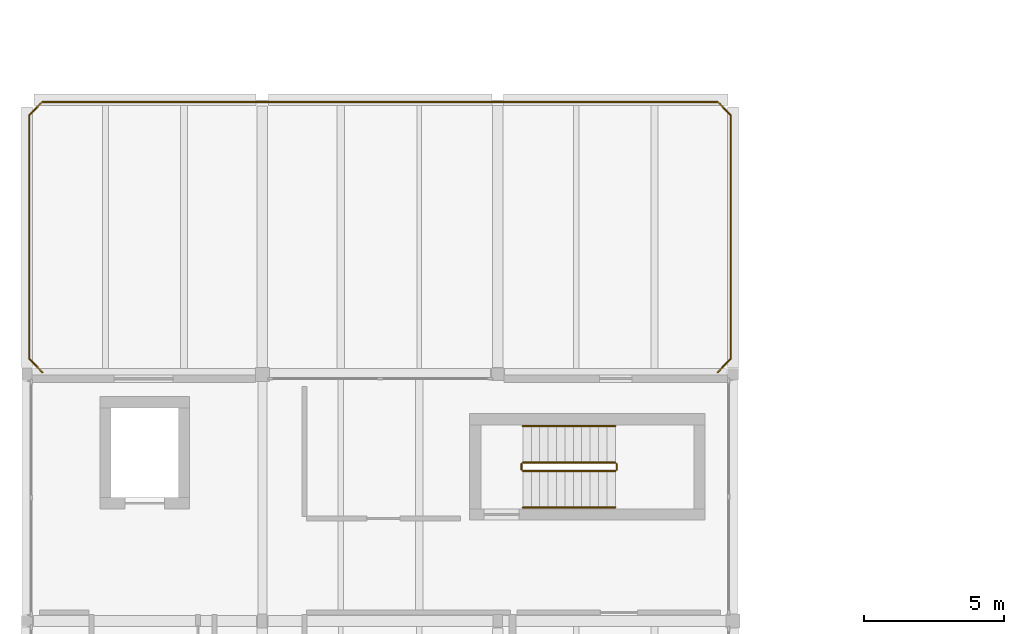
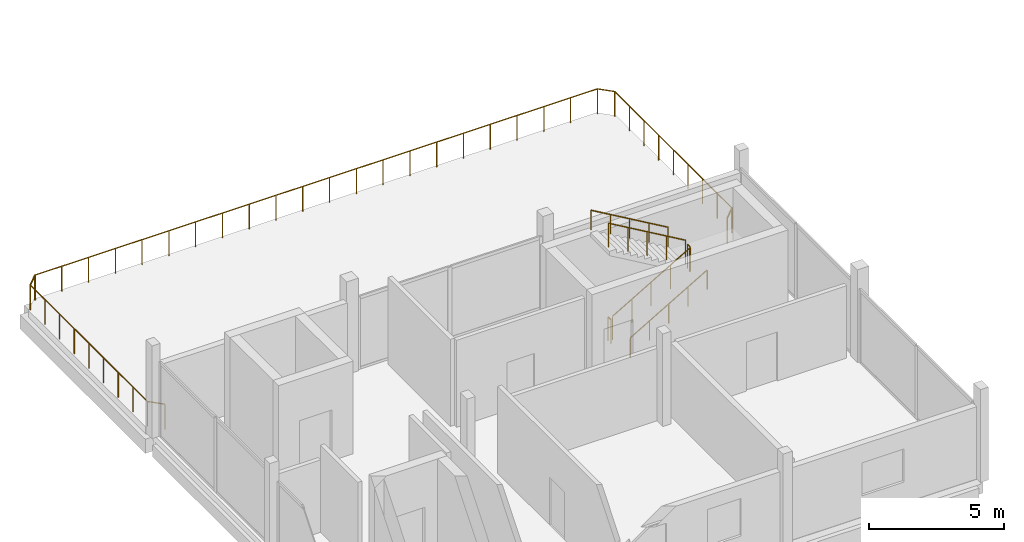
# One storey, part 19 of 23: 13 railings.
"""IFC4 building model written with IfcOpenShell, lengths in metres."""

from ifc_helpers import new_model, si_unit, direction, frame, origin, origin_2d, place, context, subcontext, project, spatial, circle, extrude, material, type_object, element, save


model = new_model("IFC4")

# Units and contexts
model_context = context("Model", 3, precision=1e-05, world=origin(), true_north=direction((0.0, 1.0)))
body_context = subcontext(model_context, "Body", "Model", "MODEL_VIEW")
ifc_project = project(units=[si_unit("LENGTHUNIT", "METRE"), si_unit("AREAUNIT", "SQUARE_METRE"), si_unit("VOLUMEUNIT", "CUBIC_METRE"), si_unit("PLANEANGLEUNIT", "RADIAN"), si_unit("MASSUNIT", "GRAM", prefix="KILO")], contexts=[model_context])

# Site, building, storey
site_placement = place(None, origin())
site = spatial("IfcSite", under=ifc_project, at=site_placement, CompositionType="ELEMENT")
building_placement = place(site_placement, origin())
building = spatial("IfcBuilding", under=site, at=building_placement, Name="Birchvale Park Specialist Clinic", CompositionType="ELEMENT")
storey_placement = place(building_placement, frame((0.0, 0.0, 18.0)))
storey = spatial("IfcBuildingStorey", under=building, at=storey_placement, Name="L04", CompositionType="ELEMENT", Elevation=18.0)

# Railings
ifc_material_1 = material(Name="Brushed stainless steel and laminated glass balustrade", Category="steel")
railing_type_1 = type_object("IfcRailingType", Name="RL-BAL2", PredefinedType="BALUSTRADE", material=ifc_material_1)
railing_1_placement = place(storey_placement, frame((35.85009765625, 34.679931640625, 0.0)))
element("IfcRailing", 1, at=railing_1_placement, inside=storey, type_object=railing_type_1, Name="V2 L04 roof terrace guard balustrade 31", PredefinedType="BALUSTRADE", context=body_context, shape_type="SweptSolid", body=[
    extrude(circle(Radius=0.02392578125, at=origin_2d()), frame((0.0, 0.0, 1.1259765625), z_axis=(0.707106781187, 0.707106781187, 0.0), x_axis=(-0.707106781187, 0.707106781187, 0.0)), (0.0, 0.0, 1.0), 0.66455078125),
    extrude(circle(Radius=0.02099609375, at=origin_2d()), origin(), (0.0, 0.0, 1.0), 1.101806640625),
    extrude(circle(Radius=0.02099609375, at=origin_2d()), frame((0.469970703125, 0.469970703125, 0.0)), (0.0, 0.0, 1.0), 1.101806640625),
])
railing_2_placement = place(storey_placement, frame((36.320068359375, 35.14990234375, 0.0)))
element("IfcRailing", 2, at=railing_2_placement, inside=storey, type_object=railing_type_1, Name="V2 L04 roof terrace guard balustrade 32", PredefinedType="BALUSTRADE", context=body_context, shape_type="SweptSolid", body=[
    extrude(circle(Radius=0.02392578125, at=origin_2d()), frame((0.0, 0.0, 1.1259765625), z_axis=(0.0, 1.0, 0.0), x_axis=(-1.0, 0.0, 0.0)), (0.0, 0.0, 1.0), 8.7001953125),
    extrude(circle(Radius=0.02099609375, at=origin_2d()), origin(), (0.0, 0.0, 1.0), 1.101806640625),
    extrude(circle(Radius=0.02099609375, at=origin_2d()), frame((0.0, 1.08740234375, 0.0)), (0.0, 0.0, 1.0), 1.101806640625),
    extrude(circle(Radius=0.02099609375, at=origin_2d()), frame((0.0, 2.175048828125, 0.0)), (0.0, 0.0, 1.0), 1.101806640625),
    extrude(circle(Radius=0.02099609375, at=origin_2d()), frame((0.0, 3.2626953125, 0.0)), (0.0, 0.0, 1.0), 1.101806640625),
    extrude(circle(Radius=0.02099609375, at=origin_2d()), frame((0.0, 4.35009765625, 0.0)), (0.0, 0.0, 1.0), 1.101806640625),
    extrude(circle(Radius=0.02099609375, at=origin_2d()), frame((0.0, 5.4375, 0.0)), (0.0, 0.0, 1.0), 1.101806640625),
    extrude(circle(Radius=0.02099609375, at=origin_2d()), frame((0.0, 6.525146484375, 0.0)), (0.0, 0.0, 1.0), 1.101806640625),
    extrude(circle(Radius=0.02099609375, at=origin_2d()), frame((0.0, 7.61279296875, 0.0)), (0.0, 0.0, 1.0), 1.101806640625),
    extrude(circle(Radius=0.02099609375, at=origin_2d()), frame((0.0, 8.7001953125, 0.0)), (0.0, 0.0, 1.0), 1.101806640625),
])
railing_3_placement = place(storey_placement, frame((36.320068359375, 43.85009765625, 0.0)))
element("IfcRailing", 3, at=railing_3_placement, inside=storey, type_object=railing_type_1, Name="V2 L04 roof terrace guard balustrade 33", PredefinedType="BALUSTRADE", context=body_context, shape_type="SweptSolid", body=[
    extrude(circle(Radius=0.02392578125, at=origin_2d()), frame((0.0, 0.0, 1.1259765625), z_axis=(-0.707106781187, 0.707106781187, 0.0), x_axis=(-0.707106781187, -0.707106781187, 0.0)), (0.0, 0.0, 1.0), 0.66455078125),
    extrude(circle(Radius=0.02099609375, at=origin_2d()), origin(), (0.0, 0.0, 1.0), 1.101806640625),
    extrude(circle(Radius=0.02099609375, at=origin_2d()), frame((-0.469970703125, 0.469970703125, 0.0)), (0.0, 0.0, 1.0), 1.101806640625),
])
railing_4_placement = place(storey_placement, frame((35.85009765625, 44.320068359375, 0.0)))
element("IfcRailing", 4, at=railing_4_placement, inside=storey, type_object=railing_type_1, Name="V2 L04 roof terrace guard balustrade 34", PredefinedType="BALUSTRADE", context=body_context, shape_type="SweptSolid", body=[
    extrude(circle(Radius=0.02392578125, at=origin_2d()), frame((0.0, 0.0, 1.1259765625), z_axis=(-1.0, 0.0, 0.0), x_axis=(0.0, -1.0, 0.0)), (0.0, 0.0, 1.0), 24.10009765625),
    extrude(circle(Radius=0.02099609375, at=origin_2d()), origin(), (0.0, 0.0, 1.0), 1.101806640625),
    extrude(circle(Radius=0.02099609375, at=origin_2d()), frame((-1.147705078125, 0.0, 0.0)), (0.0, 0.0, 1.0), 1.101806640625),
    extrude(circle(Radius=0.02099609375, at=origin_2d()), frame((-2.295166015625, 0.0, 0.0)), (0.0, 0.0, 1.0), 1.101806640625),
    extrude(circle(Radius=0.02099609375, at=origin_2d()), frame((-3.44287109375, 0.0, 0.0)), (0.0, 0.0, 1.0), 1.101806640625),
    extrude(circle(Radius=0.02099609375, at=origin_2d()), frame((-4.590576171875, 0.0, 0.0)), (0.0, 0.0, 1.0), 1.101806640625),
    extrude(circle(Radius=0.02099609375, at=origin_2d()), frame((-5.738037109375, 0.0, 0.0)), (0.0, 0.0, 1.0), 1.101806640625),
    extrude(circle(Radius=0.02099609375, at=origin_2d()), frame((-6.8857421875, 0.0, 0.0)), (0.0, 0.0, 1.0), 1.101806640625),
    extrude(circle(Radius=0.02099609375, at=origin_2d()), frame((-8.033447265625, 0.0, 0.0)), (0.0, 0.0, 1.0), 1.101806640625),
    extrude(circle(Radius=0.02099609375, at=origin_2d()), frame((-9.180908203125, 0.0, 0.0)), (0.0, 0.0, 1.0), 1.101806640625),
    extrude(circle(Radius=0.02099609375, at=origin_2d()), frame((-10.32861328125, 0.0, 0.0)), (0.0, 0.0, 1.0), 1.101806640625),
    extrude(circle(Radius=0.02099609375, at=origin_2d()), frame((-11.476318359375, 0.0, 0.0)), (0.0, 0.0, 1.0), 1.101806640625),
    extrude(circle(Radius=0.02099609375, at=origin_2d()), frame((-12.623779296875, 0.0, 0.0)), (0.0, 0.0, 1.0), 1.101806640625),
    extrude(circle(Radius=0.02099609375, at=origin_2d()), frame((-13.771484375, 0.0, 0.0)), (0.0, 0.0, 1.0), 1.101806640625),
    extrude(circle(Radius=0.02099609375, at=origin_2d()), frame((-14.919189453125, 0.0, 0.0)), (0.0, 0.0, 1.0), 1.101806640625),
    extrude(circle(Radius=0.02099609375, at=origin_2d()), frame((-16.066650390625, 0.0, 0.0)), (0.0, 0.0, 1.0), 1.101806640625),
    extrude(circle(Radius=0.02099609375, at=origin_2d()), frame((-17.21435546875, 0.0, 0.0)), (0.0, 0.0, 1.0), 1.101806640625),
    extrude(circle(Radius=0.02099609375, at=origin_2d()), frame((-18.362060546875, 0.0, 0.0)), (0.0, 0.0, 1.0), 1.101806640625),
    extrude(circle(Radius=0.02099609375, at=origin_2d()), frame((-19.509521484375, 0.0, 0.0)), (0.0, 0.0, 1.0), 1.101806640625),
    extrude(circle(Radius=0.02099609375, at=origin_2d()), frame((-20.6572265625, 0.0, 0.0)), (0.0, 0.0, 1.0), 1.101806640625),
    extrude(circle(Radius=0.02099609375, at=origin_2d()), frame((-21.804931640625, 0.0, 0.0)), (0.0, 0.0, 1.0), 1.101806640625),
    extrude(circle(Radius=0.02099609375, at=origin_2d()), frame((-22.952392578125, 0.0, 0.0)), (0.0, 0.0, 1.0), 1.101806640625),
    extrude(circle(Radius=0.02099609375, at=origin_2d()), frame((-24.10009765625, 0.0, 0.0)), (0.0, 0.0, 1.0), 1.101806640625),
])
railing_5_placement = place(storey_placement, frame((11.75, 44.320068359375, 0.0)))
element("IfcRailing", 5, at=railing_5_placement, inside=storey, type_object=railing_type_1, Name="V2 L04 roof terrace guard balustrade 35", PredefinedType="BALUSTRADE", context=body_context, shape_type="SweptSolid", body=[
    extrude(circle(Radius=0.02392578125, at=origin_2d()), frame((0.0, 0.0, 1.1259765625), z_axis=(-0.707106781187, -0.707106781187, 0.0), x_axis=(0.707106781187, -0.707106781187, 0.0)), (0.0, 0.0, 1.0), 0.66455078125),
    extrude(circle(Radius=0.02099609375, at=origin_2d()), origin(), (0.0, 0.0, 1.0), 1.101806640625),
    extrude(circle(Radius=0.02099609375, at=origin_2d()), frame((-0.469970703125, -0.469970703125, 0.0)), (0.0, 0.0, 1.0), 1.101806640625),
])
railing_6_placement = place(storey_placement, frame((11.280029296875, 43.85009765625, 0.0)))
element("IfcRailing", 6, at=railing_6_placement, inside=storey, type_object=railing_type_1, Name="V2 L04 roof terrace guard balustrade 36", PredefinedType="BALUSTRADE", context=body_context, shape_type="SweptSolid", body=[
    extrude(circle(Radius=0.02392578125, at=origin_2d()), frame((0.0, 0.0, 1.1259765625), z_axis=(0.0, -1.0, 0.0), x_axis=(1.0, 0.0, 0.0)), (0.0, 0.0, 1.0), 8.7001953125),
    extrude(circle(Radius=0.02099609375, at=origin_2d()), origin(), (0.0, 0.0, 1.0), 1.101806640625),
    extrude(circle(Radius=0.02099609375, at=origin_2d()), frame((0.0, -1.08740234375, 0.0)), (0.0, 0.0, 1.0), 1.101806640625),
    extrude(circle(Radius=0.02099609375, at=origin_2d()), frame((0.0, -2.175048828125, 0.0)), (0.0, 0.0, 1.0), 1.101806640625),
    extrude(circle(Radius=0.02099609375, at=origin_2d()), frame((0.0, -3.2626953125, 0.0)), (0.0, 0.0, 1.0), 1.101806640625),
    extrude(circle(Radius=0.02099609375, at=origin_2d()), frame((0.0, -4.35009765625, 0.0)), (0.0, 0.0, 1.0), 1.101806640625),
    extrude(circle(Radius=0.02099609375, at=origin_2d()), frame((0.0, -5.4375, 0.0)), (0.0, 0.0, 1.0), 1.101806640625),
    extrude(circle(Radius=0.02099609375, at=origin_2d()), frame((0.0, -6.525146484375, 0.0)), (0.0, 0.0, 1.0), 1.101806640625),
    extrude(circle(Radius=0.02099609375, at=origin_2d()), frame((0.0, -7.61279296875, 0.0)), (0.0, 0.0, 1.0), 1.101806640625),
    extrude(circle(Radius=0.02099609375, at=origin_2d()), frame((0.0, -8.7001953125, 0.0)), (0.0, 0.0, 1.0), 1.101806640625),
])
railing_7_placement = place(storey_placement, frame((11.280029296875, 35.14990234375, 0.0)))
element("IfcRailing", 7, at=railing_7_placement, inside=storey, type_object=railing_type_1, Name="V2 L04 roof terrace guard balustrade 37", PredefinedType="BALUSTRADE", context=body_context, shape_type="SweptSolid", body=[
    extrude(circle(Radius=0.02392578125, at=origin_2d()), frame((0.0, 0.0, 1.1259765625), z_axis=(0.707106781187, -0.707106781187, 0.0), x_axis=(0.707106781187, 0.707106781187, 0.0)), (0.0, 0.0, 1.0), 0.66455078125),
    extrude(circle(Radius=0.02099609375, at=origin_2d()), origin(), (0.0, 0.0, 1.0), 1.101806640625),
    extrude(circle(Radius=0.02099609375, at=origin_2d()), frame((0.469970703125, -0.469970703125, 0.0)), (0.0, 0.0, 1.0), 1.101806640625),
])
ifc_material_2 = material(Name="Brushed stainless steel guard railing", Category="steel")
railing_type_2 = type_object("IfcRailingType", Name="RL-GRD1", PredefinedType="GUARDRAIL", material=ifc_material_2)
railing_8_placement = place(storey_placement, frame((28.89990234375, 31.14990234375, 0.175048828125)))
element("IfcRailing", 8, at=railing_8_placement, inside=storey, type_object=railing_type_2, Name="L04 ST2 stair guard 1", PredefinedType="GUARDRAIL", context=body_context, shape_type="SweptSolid", body=[
    extrude(circle(Radius=0.02392578125, at=origin_2d()), frame((0.0, 0.0, 1.076171875), z_axis=(0.863776583165, 0.0, 0.503874998761), x_axis=(0.0, 1.0, 0.0)), (0.0, 0.0, 1.0), 3.820556640625),
    extrude(circle(Radius=0.02099609375, at=origin_2d()), origin(), (0.0, 0.0, 1.0), 1.052001953125),
    extrude(circle(Radius=0.02099609375, at=origin_2d()), frame((0.824951171875, 0.0, 0.481201171875)), (0.0, 0.0, 1.0), 1.052001953125),
    extrude(circle(Radius=0.02099609375, at=origin_2d()), frame((1.64990234375, 0.0, 0.96240234375)), (0.0, 0.0, 1.0), 1.052001953125),
    extrude(circle(Radius=0.02099609375, at=origin_2d()), frame((2.47509765625, 0.0, 1.44384765625)), (0.0, 0.0, 1.0), 1.052001953125),
    extrude(circle(Radius=0.02099609375, at=origin_2d()), frame((3.300048828125, 0.0, 1.925048828125)), (0.0, 0.0, 1.0), 1.052001953125),
])
railing_9_placement = place(storey_placement, frame((32.25, 31.199951171875, 2.10009765625)))
element("IfcRailing", 9, at=railing_9_placement, inside=storey, type_object=railing_type_2, Name="L04 ST2 stair guard 2", PredefinedType="GUARDRAIL", context=body_context, shape_type="SweptSolid", body=[
    extrude(circle(Radius=0.02392578125, at=origin_2d()), frame((0.0, 0.0, 1.076171875), z_axis=(0.0, 1.0, 0.0), x_axis=(-1.0, 0.0, 0.0)), (0.0, 0.0, 1.0), 0.199951171875),
    extrude(circle(Radius=0.02099609375, at=origin_2d()), origin(), (0.0, 0.0, 1.0), 1.052001953125),
    extrude(circle(Radius=0.02099609375, at=origin_2d()), frame((0.0, 0.199951171875, 0.0)), (0.0, 0.0, 1.0), 1.052001953125),
])
railing_10_placement = place(storey_placement, frame((32.199951171875, 31.449951171875, 2.27490234375)))
element("IfcRailing", 10, at=railing_10_placement, inside=storey, type_object=railing_type_2, Name="L04 ST2 stair guard 3", PredefinedType="GUARDRAIL", context=body_context, shape_type="SweptSolid", body=[
    extrude(circle(Radius=0.02392578125, at=origin_2d()), frame((0.0, 0.0, 1.076171875), z_axis=(-0.863776583165, 0.0, 0.503874998761), x_axis=(0.0, -1.0, 0.0)), (0.0, 0.0, 1.0), 3.820556640625),
    extrude(circle(Radius=0.02099609375, at=origin_2d()), origin(), (0.0, 0.0, 1.0), 1.052001953125),
    extrude(circle(Radius=0.02099609375, at=origin_2d()), frame((-0.824951171875, 0.0, 0.481201171875)), (0.0, 0.0, 1.0), 1.052001953125),
    extrude(circle(Radius=0.02099609375, at=origin_2d()), frame((-1.64990234375, 0.0, 0.96240234375)), (0.0, 0.0, 1.0), 1.052001953125),
    extrude(circle(Radius=0.02099609375, at=origin_2d()), frame((-2.47509765625, 0.0, 1.44384765625)), (0.0, 0.0, 1.0), 1.052001953125),
    extrude(circle(Radius=0.02099609375, at=origin_2d()), frame((-3.300048828125, 0.0, 1.925048828125)), (0.0, 0.0, 1.0), 1.052001953125),
])
railing_11_placement = place(storey_placement, frame((28.85009765625, 31.199951171875, 0.0)))
element("IfcRailing", 11, at=railing_11_placement, inside=storey, type_object=railing_type_2, Name="L04 ST2 stair guard 4", PredefinedType="GUARDRAIL", context=body_context, shape_type="SweptSolid", body=[
    extrude(circle(Radius=0.02392578125, at=origin_2d()), frame((0.0, 0.0, 1.076171875), z_axis=(0.0, 1.0, 0.0), x_axis=(-1.0, 0.0, 0.0)), (0.0, 0.0, 1.0), 0.199951171875),
    extrude(circle(Radius=0.02099609375, at=origin_2d()), origin(), (0.0, 0.0, 1.0), 1.052001953125),
    extrude(circle(Radius=0.02099609375, at=origin_2d()), frame((0.0, 0.199951171875, 0.0)), (0.0, 0.0, 1.0), 1.052001953125),
])
ifc_material_3 = material(Name="Anodised aluminium handrail", Category="aluminium")
railing_type_3 = type_object("IfcRailingType", Name="RL-HND1", PredefinedType="HANDRAIL", material=ifc_material_3)
railing_12_placement = place(storey_placement, frame((28.89990234375, 29.85009765625, 0.175048828125)))
element("IfcRailing", 12, at=railing_12_placement, inside=storey, type_object=railing_type_3, Name="L04 ST2 stair handrail 1", PredefinedType="HANDRAIL", context=body_context, shape_type="SweptSolid", body=[
    extrude(circle(Radius=0.02392578125, at=origin_2d()), frame((0.0, 0.0, 0.8759765625), z_axis=(0.863776583165, 0.0, 0.503874998761), x_axis=(0.0, 1.0, 0.0)), (0.0, 0.0, 1.0), 3.820556640625),
    extrude(circle(Radius=0.02099609375, at=origin_2d()), origin(), (0.0, 0.0, 1.0), 0.851806640625),
    extrude(circle(Radius=0.02099609375, at=origin_2d()), frame((0.824951171875, 0.0, 0.481201171875)), (0.0, 0.0, 1.0), 0.851806640625),
    extrude(circle(Radius=0.02099609375, at=origin_2d()), frame((1.64990234375, 0.0, 0.96240234375)), (0.0, 0.0, 1.0), 0.851806640625),
    extrude(circle(Radius=0.02099609375, at=origin_2d()), frame((2.47509765625, 0.0, 1.44384765625)), (0.0, 0.0, 1.0), 0.851806640625),
    extrude(circle(Radius=0.02099609375, at=origin_2d()), frame((3.300048828125, 0.0, 1.925048828125)), (0.0, 0.0, 1.0), 0.851806640625),
])
railing_13_placement = place(storey_placement, frame((32.199951171875, 32.75, 2.27490234375)))
element("IfcRailing", 13, at=railing_13_placement, inside=storey, type_object=railing_type_3, Name="L04 ST2 stair handrail 2", PredefinedType="HANDRAIL", context=body_context, shape_type="SweptSolid", body=[
    extrude(circle(Radius=0.02392578125, at=origin_2d()), frame((0.0, 0.0, 0.8759765625), z_axis=(-0.863776583165, 0.0, 0.503874998761), x_axis=(0.0, -1.0, 0.0)), (0.0, 0.0, 1.0), 3.820556640625),
    extrude(circle(Radius=0.02099609375, at=origin_2d()), origin(), (0.0, 0.0, 1.0), 0.851806640625),
    extrude(circle(Radius=0.02099609375, at=origin_2d()), frame((-0.824951171875, 0.0, 0.481201171875)), (0.0, 0.0, 1.0), 0.851806640625),
    extrude(circle(Radius=0.02099609375, at=origin_2d()), frame((-1.64990234375, 0.0, 0.96240234375)), (0.0, 0.0, 1.0), 0.851806640625),
    extrude(circle(Radius=0.02099609375, at=origin_2d()), frame((-2.47509765625, 0.0, 1.44384765625)), (0.0, 0.0, 1.0), 0.851806640625),
    extrude(circle(Radius=0.02099609375, at=origin_2d()), frame((-3.300048828125, 0.0, 1.925048828125)), (0.0, 0.0, 1.0), 0.851806640625),
])

save(model, "model.ifc")
